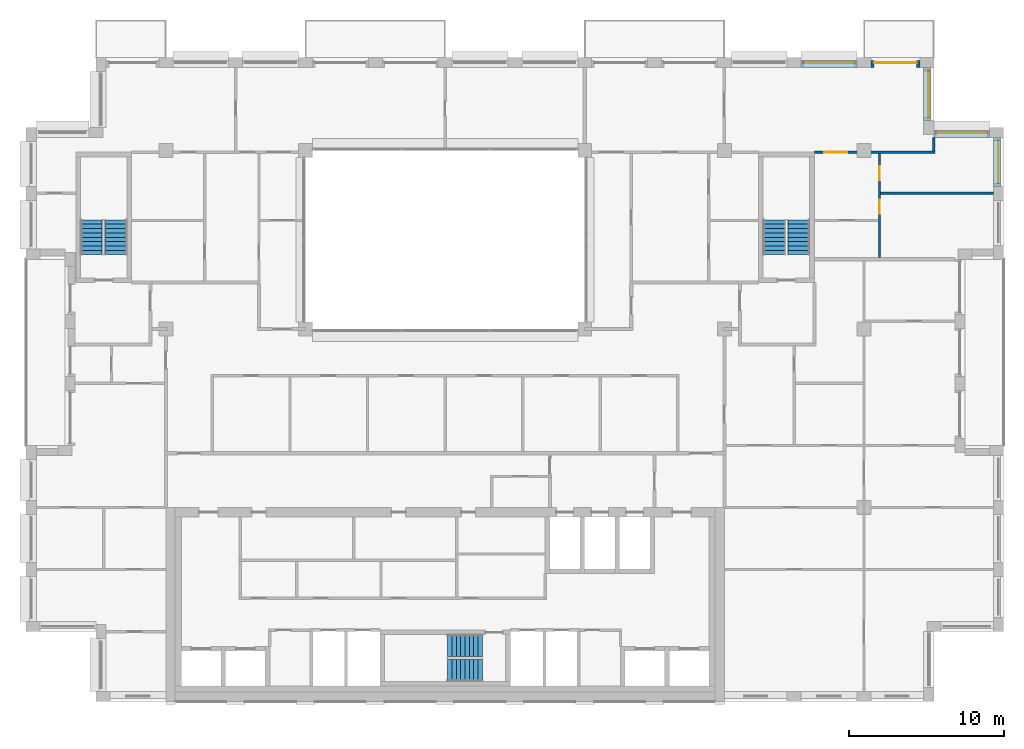
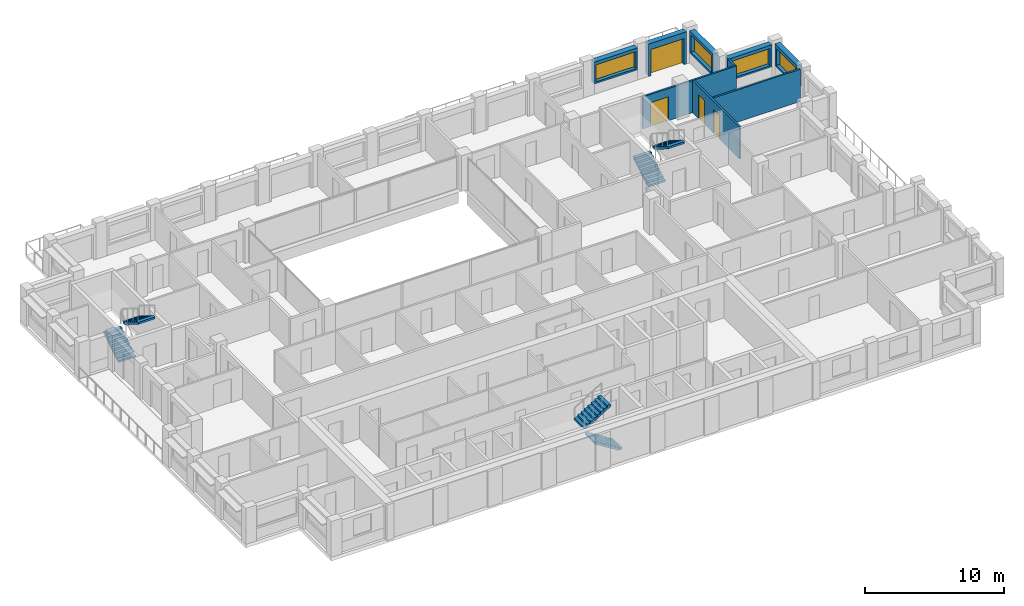
# One storey, part 14 of 15: 9 walls, 6 stair flights, 4 doors, 4 windows, 8 openings, 3 elements without a shape of their own.
"""IFC4 building model written with IfcOpenShell, lengths in metres."""

from ifc_helpers import new_model, si_unit, direction, frame, frame_2d, origin, place, context, subcontext, project, spatial, polyline, rectangle, outline, extrude, material, layer, layer_set, type_object, element, fill, aggregate, save


model = new_model("IFC4")

# Units and contexts
model_context = context("Model", 3, precision=1e-05, world=origin(), true_north=direction((0.0, 1.0)))
body_context = subcontext(model_context, "Body", "Model", "MODEL_VIEW")
ifc_project = project(units=[si_unit("LENGTHUNIT", "METRE"), si_unit("AREAUNIT", "SQUARE_METRE"), si_unit("VOLUMEUNIT", "CUBIC_METRE"), si_unit("PLANEANGLEUNIT", "RADIAN"), si_unit("MASSUNIT", "GRAM", prefix="KILO")], contexts=[model_context])

# Site, building, storey
site_placement = place(None, origin())
site = spatial("IfcSite", under=ifc_project, at=site_placement, CompositionType="ELEMENT")
building_placement = place(site_placement, origin())
building = spatial("IfcBuilding", under=site, at=building_placement, Name="Brigalow Station Residences", CompositionType="ELEMENT")
storey_placement = place(building_placement, frame((0.0, 0.0, 207.449951171875)))
storey = spatial("IfcBuildingStorey", under=building, at=storey_placement, Name="L59", CompositionType="ELEMENT", Elevation=207.449951171875)

# Wall, opening, window
ifc_material_1 = material(Name="Clay brick masonry", Category="masonry")
ifc_layer_1 = layer(ifc_material_1, 0.449951171875)
ifc_layer_set_1 = layer_set([ifc_layer_1], Name="BRICK INFILL WALL 450")
wall_type_1 = type_object("IfcWallType", Name="BRICK INFILL WALL 450", PredefinedType="SOLIDWALL", material=ifc_layer_set_1)
wall_1_placement = place(storey_placement, frame((71.574951171875, 33.199951171875, 0.900146484375), z_axis=(0.0, 0.0, 1.0), x_axis=(0.0, 1.0, 0.0)))
wall_1 = element("IfcWall", 1, at=wall_1_placement, inside=storey, type_object=wall_type_1, Name="L59/ewall/W-L59-17", PredefinedType="SOLIDWALL", context=body_context, shape_type="SweptSolid", body=[
    extrude(rectangle(XDim=3.150146484375, YDim=0.449951171875, at=frame_2d((1.5751953125, 0.0))), origin(), (0.0, 0.0, 1.0), 1.929931640625),
])
opening_1_placement = place(wall_1_placement, frame((0.199951171875, 0.0, 0.14990234375)))
opening_1 = element("IfcOpeningElement", 2, at=opening_1_placement, cuts=wall_1, Name="Opening WT-3", PredefinedType="OPENING", context=body_context, shape_type="SweptSolid", body=[
    extrude(rectangle(XDim=2.75, YDim=1.5, at=frame_2d((1.375, 0.75))), frame((0.0, 0.23486328125, 0.0), z_axis=(0.0, -1.0, 0.0), x_axis=(1.0, 0.0, 0.0)), (0.0, 0.0, 1.0), 0.469970703125),
])
ifc_material_2 = material(Name="Anodised aluminium frame with double glazing", Category="aluminium")
window_type_1 = type_object("IfcWindowType", Name="WINDOW 2750x1500", PartitioningType="SINGLE_PANEL", PredefinedType="WINDOW", material=ifc_material_2)
window_1_placement = place(opening_1_placement, origin())
window_1 = element("IfcWindow", 3, at=window_1_placement, inside=storey, type_object=window_type_1, Name="L59/window/W-L59-17", OverallHeight=1.5, OverallWidth=2.75, PartitioningType="SINGLE_PANEL", PredefinedType="WINDOW", context=body_context, shape_type="SweptSolid", body=[
    extrude(rectangle(XDim=2.75, YDim=1.5, at=frame_2d((1.375, 0.75))), frame((0.0, -0.06494140625, 0.0), z_axis=(0.0, -1.0, 0.0), x_axis=(1.0, 0.0, 0.0)), (0.0, 0.0, 1.0), 0.06005859375),
])
fill(opening_1, window_1)

wall_2_placement = place(storey_placement, frame((71.10009765625, 36.574951171875, 0.900146484375), z_axis=(0.0, 0.0, 1.0), x_axis=(-1.0, 0.0, 0.0)))
wall_2 = element("IfcWall", 4, at=wall_2_placement, inside=storey, type_object=wall_type_1, Name="L59/ewall/W-L59-18", PredefinedType="SOLIDWALL", context=body_context, shape_type="SweptSolid", body=[
    extrude(rectangle(XDim=3.60009765625, YDim=0.449951171875, at=frame_2d((1.800048828125, 0.0))), origin(), (0.0, 0.0, 1.0), 1.929931640625),
])
opening_2_placement = place(wall_2_placement, frame((0.14990234375, 0.0, 0.14990234375)))
opening_2 = element("IfcOpeningElement", 5, at=opening_2_placement, cuts=wall_2, Name="Opening WT-10", PredefinedType="OPENING", context=body_context, shape_type="SweptSolid", body=[
    extrude(rectangle(XDim=3.300048828125, YDim=1.5, at=frame_2d((1.64990234375, 0.75))), frame((0.0, 0.23486328125, 0.0), z_axis=(0.0, -1.0, 0.0), x_axis=(1.0, 0.0, 0.0)), (0.0, 0.0, 1.0), 0.469970703125),
])
ifc_material_3 = material(Name="Anodised aluminium frame with double glazing", Category="aluminium")
window_type_2 = type_object("IfcWindowType", Name="WINDOW 3300x1500", PartitioningType="SINGLE_PANEL", PredefinedType="WINDOW", material=ifc_material_3)
window_2_placement = place(opening_2_placement, origin())
window_2 = element("IfcWindow", 6, at=window_2_placement, inside=storey, type_object=window_type_2, Name="L59/window/W-L59-18", OverallHeight=1.5, OverallWidth=3.300048828125, PartitioningType="SINGLE_PANEL", PredefinedType="WINDOW", context=body_context, shape_type="SweptSolid", body=[
    extrude(rectangle(XDim=3.300048828125, YDim=1.5, at=frame_2d((1.64990234375, 0.75))), frame((0.0, -0.06494140625, 0.0), z_axis=(0.0, -1.0, 0.0), x_axis=(1.0, 0.0, 0.0)), (0.0, 0.0, 1.0), 0.06005859375),
])
fill(opening_2, window_2)

wall_3_placement = place(storey_placement, frame((67.074951171875, 37.449951171875, 0.900146484375), z_axis=(0.0, 0.0, 1.0), x_axis=(0.0, 1.0, 0.0)))
wall_3 = element("IfcWall", 7, at=wall_3_placement, inside=storey, type_object=wall_type_1, Name="L59/ewall/W-L59-19", PredefinedType="SOLIDWALL", context=body_context, shape_type="SweptSolid", body=[
    extrude(rectangle(XDim=3.400146484375, YDim=0.449951171875, at=frame_2d((1.7001953125, 0.0))), origin(), (0.0, 0.0, 1.0), 1.929931640625),
])
opening_3_placement = place(wall_3_placement, frame((0.199951171875, 0.0, 0.14990234375)))
opening_3 = element("IfcOpeningElement", 8, at=opening_3_placement, cuts=wall_3, Name="Opening WT-2", PredefinedType="OPENING", context=body_context, shape_type="SweptSolid", body=[
    extrude(rectangle(XDim=3.0, YDim=1.5, at=frame_2d((1.5, 0.75))), frame((0.0, 0.23486328125, 0.0), z_axis=(0.0, -1.0, 0.0), x_axis=(1.0, 0.0, 0.0)), (0.0, 0.0, 1.0), 0.469970703125),
])
ifc_material_4 = material(Name="Anodised aluminium frame with double glazing", Category="aluminium")
window_type_3 = type_object("IfcWindowType", Name="WINDOW 3000x1500", PartitioningType="SINGLE_PANEL", PredefinedType="WINDOW", material=ifc_material_4)
window_3_placement = place(opening_3_placement, origin())
window_3 = element("IfcWindow", 9, at=window_3_placement, inside=storey, type_object=window_type_3, Name="L59/window/W-L59-19", OverallHeight=1.5, OverallWidth=3.0, PartitioningType="SINGLE_PANEL", PredefinedType="WINDOW", context=body_context, shape_type="SweptSolid", body=[
    extrude(rectangle(XDim=3.0, YDim=1.5, at=frame_2d((1.5, 0.75))), frame((0.0, -0.06494140625, 0.0), z_axis=(0.0, -1.0, 0.0), x_axis=(1.0, 0.0, 0.0)), (0.0, 0.0, 1.0), 0.06005859375),
])
fill(opening_3, window_3)

# Wall, opening, door
wall_4_placement = place(storey_placement, frame((66.60009765625, 41.074951171875, 0.0), z_axis=(0.0, 0.0, 1.0), x_axis=(-1.0, 0.0, 0.0)))
wall_4 = element("IfcWall", 10, at=wall_4_placement, inside=storey, type_object=wall_type_1, Name="L59/ewall/W-L59-20", PredefinedType="SOLIDWALL", context=body_context, shape_type="SweptSolid", body=[
    extrude(rectangle(XDim=3.150146484375, YDim=0.449951171875, at=frame_2d((1.5751953125, 0.0))), origin(), (0.0, 0.0, 1.0), 2.830078125),
])
opening_4_placement = place(wall_4_placement, frame((0.199951171875, 0.0, 0.0)))
opening_4 = element("IfcOpeningElement", 11, at=opening_4_placement, cuts=wall_4, Name="Opening D-B2750", PredefinedType="OPENING", context=body_context, shape_type="SweptSolid", body=[
    extrude(rectangle(XDim=2.75, YDim=2.300048828125, at=frame_2d((1.375, 1.14990234375))), frame((0.0, 0.23486328125, 0.0), z_axis=(0.0, -1.0, 0.0), x_axis=(1.0, 0.0, 0.0)), (0.0, 0.0, 1.0), 0.469970703125),
])
ifc_material_5 = material(Name="Anodised aluminium frame with double glazing", Category="aluminium")
door_type_1 = type_object("IfcDoorType", Name="BALCONY SLIDING DOOR 2750x2300", OperationType="SLIDING_TO_LEFT", PredefinedType="DOOR", material=ifc_material_5)
door_1_placement = place(opening_4_placement, origin())
door_1 = element("IfcDoor", 12, at=door_1_placement, inside=storey, type_object=door_type_1, Name="L59/balcony-door/W-L59-20", OperationType="SLIDING_TO_LEFT", OverallHeight=2.300048828125, OverallWidth=2.75, PredefinedType="DOOR", context=body_context, shape_type="SweptSolid", body=[
    extrude(rectangle(XDim=2.75, YDim=2.300048828125, at=frame_2d((1.375, 1.14990234375))), frame((0.0, -0.06982421875, 0.0), z_axis=(0.0, -1.0, 0.0), x_axis=(1.0, 0.0, 0.0)), (0.0, 0.0, 1.0), 0.050048828125),
])
fill(opening_4, door_1)

# Wall, opening, window
wall_5_placement = place(storey_placement, frame((62.550048828125, 41.074951171875, 0.900146484375), z_axis=(0.0, 0.0, 1.0), x_axis=(-1.0, 0.0, 0.0)))
wall_5 = element("IfcWall", 13, at=wall_5_placement, inside=storey, type_object=wall_type_1, Name="L59/ewall/W-L59-21", PredefinedType="SOLIDWALL", context=body_context, shape_type="SweptSolid", body=[
    extrude(rectangle(XDim=3.60009765625, YDim=0.449951171875, at=frame_2d((1.800048828125, 0.0))), origin(), (0.0, 0.0, 1.0), 1.929931640625),
])
opening_5_placement = place(wall_5_placement, frame((0.14990234375, 0.0, 0.14990234375)))
opening_5 = element("IfcOpeningElement", 14, at=opening_5_placement, cuts=wall_5, Name="Opening WT-10", PredefinedType="OPENING", context=body_context, shape_type="SweptSolid", body=[
    extrude(rectangle(XDim=3.300048828125, YDim=1.5, at=frame_2d((1.64990234375, 0.75))), frame((0.0, 0.23486328125, 0.0), z_axis=(0.0, -1.0, 0.0), x_axis=(1.0, 0.0, 0.0)), (0.0, 0.0, 1.0), 0.469970703125),
])
window_4_placement = place(opening_5_placement, origin())
window_4 = element("IfcWindow", 15, at=window_4_placement, inside=storey, type_object=window_type_2, Name="L59/window/W-L59-21", OverallHeight=1.5, OverallWidth=3.300048828125, PartitioningType="SINGLE_PANEL", PredefinedType="WINDOW", context=body_context, shape_type="SweptSolid", body=[
    extrude(rectangle(XDim=3.300048828125, YDim=1.5, at=frame_2d((1.64990234375, 0.75))), frame((0.0, -0.06494140625, 0.0), z_axis=(0.0, -1.0, 0.0), x_axis=(1.0, 0.0, 0.0)), (0.0, 0.0, 1.0), 0.06005859375),
])
fill(opening_5, window_4)

# Wall, opening, door
ifc_material_6 = material(Name="Plasterboard on steel stud partition", Category="steel")
ifc_layer_2 = layer(ifc_material_6, 0.14990234375)
ifc_layer_set_2 = layer_set([ifc_layer_2], Name="FLAT PARTITION 150")
wall_type_2 = type_object("IfcWallType", Name="FLAT PARTITION 150", PredefinedType="PARTITIONING", material=ifc_layer_set_2)
wall_6_placement = place(storey_placement, frame((59.800048828125, 35.39990234375, 0.0), z_axis=(0.0, 0.0, 1.0), x_axis=(1.0, 0.0, 0.0)))
wall_6 = element("IfcWall", 16, at=wall_6_placement, inside=storey, type_object=wall_type_2, Name="PW-4B21", PredefinedType="PARTITIONING", context=body_context, shape_type="SweptSolid", body=[
    extrude(rectangle(XDim=7.77490234375, YDim=0.14990234375, at=frame_2d((3.887451171875, 0.0))), origin(), (0.0, 0.0, 1.0), 2.830078125),
])
opening_6_placement = place(wall_6_placement, frame((0.625, 0.0, 0.0)))
opening_6 = element("IfcOpeningElement", 17, at=opening_6_placement, cuts=wall_6, Name="Opening D-4B27", PredefinedType="OPENING", context=body_context, shape_type="SweptSolid", body=[
    extrude(rectangle(XDim=1.5, YDim=2.10009765625, at=frame_2d((0.75, 1.050048828125))), frame((0.0, 0.0849609375, 0.0), z_axis=(0.0, -1.0, 0.0), x_axis=(1.0, 0.0, 0.0)), (0.0, 0.0, 1.0), 0.169921875),
])
ifc_material_7 = material(Name="Solid-core timber door leaf", Category="wood")
door_type_2 = type_object("IfcDoorType", Name="INTERNAL DOUBLE DOOR 1500 x 2100", OperationType="DOUBLE_DOOR_SINGLE_SWING", PredefinedType="DOOR", material=ifc_material_7)
door_2_placement = place(opening_6_placement, origin())
door_2 = element("IfcDoor", 18, at=door_2_placement, inside=storey, type_object=door_type_2, Name="D-4B27", OperationType="DOUBLE_DOOR_SINGLE_SWING", OverallHeight=2.10009765625, OverallWidth=1.5, PredefinedType="DOOR", context=body_context, shape_type="SweptSolid", body=[
    extrude(rectangle(XDim=1.5, YDim=2.10009765625, at=frame_2d((0.75, 1.050048828125))), frame((0.0, 0.02490234375, 0.0), z_axis=(0.0, -1.0, 0.0), x_axis=(1.0, 0.0, 0.0)), (0.0, 0.0, 1.0), 0.050048828125),
])
fill(opening_6, door_2)

# Walls
wall_7_placement = place(storey_placement, frame((64.074951171875, 32.75, 0.0), z_axis=(0.0, 0.0, 1.0), x_axis=(1.0, 0.0, 0.0)))
element("IfcWall", 19, at=wall_7_placement, inside=storey, type_object=wall_type_2, Name="PW-4B23", PredefinedType="PARTITIONING", context=body_context, shape_type="SweptSolid", body=[
    extrude(rectangle(XDim=7.275146484375, YDim=0.14990234375, at=frame_2d((3.6376953125, 0.0))), origin(), (0.0, 0.0, 1.0), 2.830078125),
])
wall_8_placement = place(storey_placement, frame((67.5, 35.47509765625, 0.0), z_axis=(0.0, 0.0, 1.0), x_axis=(0.0, 1.0, 0.0)))
element("IfcWall", 20, at=wall_8_placement, inside=storey, type_object=wall_type_2, Name="PW-4B45", PredefinedType="PARTITIONING", context=body_context, shape_type="SweptSolid", body=[
    extrude(rectangle(XDim=0.875, YDim=0.14990234375, at=frame_2d((0.4375, 0.0))), origin(), (0.0, 0.0, 1.0), 2.830078125),
])

# Wall, openings, doors
wall_9_placement = place(storey_placement, frame((64.0, 28.60009765625, 0.0), z_axis=(0.0, 0.0, 1.0), x_axis=(0.0, 1.0, 0.0)))
wall_9 = element("IfcWall", 21, at=wall_9_placement, inside=storey, type_object=wall_type_2, Name="PW-4B46", PredefinedType="PARTITIONING", context=body_context, shape_type="SweptSolid", body=[
    extrude(rectangle(XDim=6.724853515625, YDim=0.14990234375, at=frame_2d((3.3623046875, 0.0))), origin(), (0.0, 0.0, 1.0), 2.830078125),
])
opening_7_placement = place(wall_9_placement, frame((2.824951171875, 0.0, 0.0)))
opening_7 = element("IfcOpeningElement", 22, at=opening_7_placement, cuts=wall_9, Name="Opening D-4B28", PredefinedType="OPENING", context=body_context, shape_type="SweptSolid", body=[
    extrude(rectangle(XDim=0.89990234375, YDim=2.10009765625, at=frame_2d((0.449951171875, 1.050048828125))), frame((0.0, 0.0849609375, 0.0), z_axis=(0.0, -1.0, 0.0), x_axis=(1.0, 0.0, 0.0)), (0.0, 0.0, 1.0), 0.169921875),
])
opening_8_placement = place(wall_9_placement, frame((5.0, 0.0, 0.0)))
opening_8 = element("IfcOpeningElement", 23, at=opening_8_placement, cuts=wall_9, Name="Opening D-4B29", PredefinedType="OPENING", context=body_context, shape_type="SweptSolid", body=[
    extrude(rectangle(XDim=0.89990234375, YDim=2.10009765625, at=frame_2d((0.449951171875, 1.050048828125))), frame((0.0, 0.0849609375, 0.0), z_axis=(0.0, -1.0, 0.0), x_axis=(1.0, 0.0, 0.0)), (0.0, 0.0, 1.0), 0.169921875),
])
ifc_material_8 = material(Name="Solid-core timber door leaf", Category="wood")
door_type_3 = type_object("IfcDoorType", Name="INTERNAL DOOR 900 x 2100", OperationType="SINGLE_SWING_LEFT", PredefinedType="DOOR", material=ifc_material_8)
door_3_placement = place(opening_7_placement, frame((0.89990234375, 0.0, 0.0), z_axis=(0.0, 0.0, 1.0), x_axis=(-1.0, 0.0, 0.0)))
door_3 = element("IfcDoor", 24, at=door_3_placement, inside=storey, type_object=door_type_3, Name="D-4B28", OperationType="SINGLE_SWING_LEFT", OverallHeight=2.10009765625, OverallWidth=0.89990234375, PredefinedType="DOOR", context=body_context, shape_type="SweptSolid", body=[
    extrude(rectangle(XDim=0.89990234375, YDim=2.10009765625, at=frame_2d((0.449951171875, 1.050048828125))), frame((0.0, 0.02490234375, 0.0), z_axis=(0.0, -1.0, 0.0), x_axis=(1.0, 0.0, 0.0)), (0.0, 0.0, 1.0), 0.050048828125),
])
fill(opening_7, door_3)
door_4_placement = place(opening_8_placement, frame((0.89990234375, 0.0, 0.0), z_axis=(0.0, 0.0, 1.0), x_axis=(-1.0, 0.0, 0.0)))
door_4 = element("IfcDoor", 25, at=door_4_placement, inside=storey, type_object=door_type_3, Name="D-4B29", OperationType="SINGLE_SWING_RIGHT", OverallHeight=2.10009765625, OverallWidth=0.89990234375, PredefinedType="DOOR", context=body_context, shape_type="SweptSolid", body=[
    extrude(rectangle(XDim=0.89990234375, YDim=2.10009765625, at=frame_2d((0.449951171875, 1.050048828125))), frame((0.0, 0.02490234375, 0.0), z_axis=(0.0, -1.0, 0.0), x_axis=(1.0, 0.0, 0.0)), (0.0, 0.0, 1.0), 0.050048828125),
])
fill(opening_8, door_4)

# Stair, stair flights
ifc_material_9 = material(Name="Concrete C50", Category="concrete")
stair_type = type_object("IfcStairType", Name="EXIT STAIR 1400 2 FLIGHT", PredefinedType="HALF_TURN_STAIR", material=ifc_material_9)
stair_1_placement = place(storey_placement, origin())
stair_1 = element("IfcStair", 26, at=stair_1_placement, inside=storey, type_object=stair_type, Name="EXIT STAIR S2 L59", PredefinedType="HALF_TURN_STAIR")
ifc_material_10 = material(Name="Concrete C50", Category="concrete")
stair_flight_type = type_object("IfcStairFlightType", Name="STAIR FLIGHT 1400", PredefinedType="STRAIGHT", material=ifc_material_10)
stair_flight_1_placement = place(storey_placement, frame((38.39990234375, 2.0, 0.0), z_axis=(0.0, 0.0, 1.0), x_axis=(-1.0, 0.0, 0.0)))
stair_flight_1 = element("IfcStairFlight", 27, at=stair_flight_1_placement, type_object=stair_flight_type, Name="ST-2 flight 1", NumberOfRisers=9, NumberOfTreads=8, PredefinedType="STRAIGHT", RiserHeight=0.175, TreadLength=0.28, context=body_context, shape_type="SweptSolid", body=[
    extrude(outline(polyline([(0.0, 0.0), (0.0, 0.175048828125), (0.280029296875, 0.175048828125), (0.280029296875, 0.35009765625), (0.56005859375, 0.35009765625), (0.56005859375, 0.52490234375), (0.840087890625, 0.52490234375), (0.840087890625, 0.699951171875), (1.1201171875, 0.699951171875), (1.1201171875, 0.875), (1.39990234375, 0.875), (1.39990234375, 1.050048828125), (1.679931640625, 1.050048828125), (1.679931640625, 1.22509765625), (1.9599609375, 1.22509765625), (1.9599609375, 1.39990234375), (2.239990234375, 1.39990234375), (2.239990234375, 1.574951171875), (2.239990234375, 1.22314453125), (0.28271484375, 0.0), (0.0, 0.0)])), frame((0.0, 0.699951171875, 0.0), z_axis=(0.0, -1.0, 0.0), x_axis=(1.0, 0.0, 0.0)), (0.0, 0.0, 1.0), 1.39990234375),
])
stair_flight_2_placement = place(storey_placement, frame((36.159912109375, 3.60009765625, 1.574951171875), z_axis=(0.0, 0.0, 1.0), x_axis=(1.0, 0.0, 0.0)))
stair_flight_2 = element("IfcStairFlight", 28, at=stair_flight_2_placement, type_object=stair_flight_type, Name="ST-2 flight 2", NumberOfRisers=9, NumberOfTreads=8, PredefinedType="STRAIGHT", RiserHeight=0.175, TreadLength=0.28, context=body_context, shape_type="SweptSolid", body=[
    extrude(outline(polyline([(0.0, 0.0), (0.0, 0.175048828125), (0.280029296875, 0.175048828125), (0.280029296875, 0.35009765625), (0.56005859375, 0.35009765625), (0.56005859375, 0.52490234375), (0.840087890625, 0.52490234375), (0.840087890625, 0.699951171875), (1.1201171875, 0.699951171875), (1.1201171875, 0.875), (1.39990234375, 0.875), (1.39990234375, 1.050048828125), (1.679931640625, 1.050048828125), (1.679931640625, 1.22509765625), (1.9599609375, 1.22509765625), (1.9599609375, 1.39990234375), (2.239990234375, 1.39990234375), (2.239990234375, 1.574951171875), (2.239990234375, 1.22314453125), (0.28271484375, 0.0), (0.0, 0.0)])), frame((0.0, 0.699951171875, 0.0), z_axis=(0.0, -1.0, 0.0), x_axis=(1.0, 0.0, 0.0)), (0.0, 0.0, 1.0), 1.39990234375),
])
aggregate(stair_1, [stair_flight_1, stair_flight_2])

stair_2_placement = place(storey_placement, origin())
stair_2 = element("IfcStair", 29, at=stair_2_placement, inside=storey, type_object=stair_type, Name="EXIT STAIR S1 L59", PredefinedType="HALF_TURN_STAIR")
stair_flight_3_placement = place(storey_placement, frame((13.199951171875, 28.800048828125, 0.0), z_axis=(0.0, 0.0, 1.0), x_axis=(0.0, 1.0, 0.0)))
stair_flight_3 = element("IfcStairFlight", 30, at=stair_flight_3_placement, type_object=stair_flight_type, Name="ST-1 flight 1", NumberOfRisers=9, NumberOfTreads=8, PredefinedType="STRAIGHT", RiserHeight=0.175, TreadLength=0.28, context=body_context, shape_type="SweptSolid", body=[
    extrude(outline(polyline([(0.0, 0.0), (0.0, 0.175048828125), (0.280029296875, 0.175048828125), (0.280029296875, 0.35009765625), (0.56005859375, 0.35009765625), (0.56005859375, 0.52490234375), (0.840087890625, 0.52490234375), (0.840087890625, 0.699951171875), (1.1201171875, 0.699951171875), (1.1201171875, 0.875), (1.39990234375, 0.875), (1.39990234375, 1.050048828125), (1.679931640625, 1.050048828125), (1.679931640625, 1.22509765625), (1.9599609375, 1.22509765625), (1.9599609375, 1.39990234375), (2.239990234375, 1.39990234375), (2.239990234375, 1.574951171875), (2.239990234375, 1.22314453125), (0.28271484375, 0.0), (0.0, 0.0)])), frame((0.0, 0.699951171875, 0.0), z_axis=(0.0, -1.0, 0.0), x_axis=(1.0, 0.0, 0.0)), (0.0, 0.0, 1.0), 1.39990234375),
])
stair_flight_4_placement = place(storey_placement, frame((14.800048828125, 31.0400390625, 1.574951171875), z_axis=(0.0, 0.0, 1.0), x_axis=(0.0, -1.0, 0.0)))
stair_flight_4 = element("IfcStairFlight", 31, at=stair_flight_4_placement, type_object=stair_flight_type, Name="ST-1 flight 2", NumberOfRisers=9, NumberOfTreads=8, PredefinedType="STRAIGHT", RiserHeight=0.175, TreadLength=0.28, context=body_context, shape_type="SweptSolid", body=[
    extrude(outline(polyline([(0.0, 0.0), (0.0, 0.175048828125), (0.280029296875, 0.175048828125), (0.280029296875, 0.35009765625), (0.56005859375, 0.35009765625), (0.56005859375, 0.52490234375), (0.840087890625, 0.52490234375), (0.840087890625, 0.699951171875), (1.1201171875, 0.699951171875), (1.1201171875, 0.875), (1.39990234375, 0.875), (1.39990234375, 1.050048828125), (1.679931640625, 1.050048828125), (1.679931640625, 1.22509765625), (1.9599609375, 1.22509765625), (1.9599609375, 1.39990234375), (2.239990234375, 1.39990234375), (2.239990234375, 1.574951171875), (2.239990234375, 1.22314453125), (0.28271484375, 0.0), (0.0, 0.0)])), frame((0.0, 0.699951171875, 0.0), z_axis=(0.0, -1.0, 0.0), x_axis=(1.0, 0.0, 0.0)), (0.0, 0.0, 1.0), 1.39990234375),
])
aggregate(stair_2, [stair_flight_3, stair_flight_4])

stair_3_placement = place(storey_placement, origin())
stair_3 = element("IfcStair", 32, at=stair_3_placement, inside=storey, type_object=stair_type, Name="EXIT STAIR S3 L59", PredefinedType="HALF_TURN_STAIR")
stair_flight_5_placement = place(storey_placement, frame((57.199951171875, 28.800048828125, 0.0), z_axis=(0.0, 0.0, 1.0), x_axis=(0.0, 1.0, 0.0)))
stair_flight_5 = element("IfcStairFlight", 33, at=stair_flight_5_placement, type_object=stair_flight_type, Name="ST-3 flight 1", NumberOfRisers=9, NumberOfTreads=8, PredefinedType="STRAIGHT", RiserHeight=0.175, TreadLength=0.28, context=body_context, shape_type="SweptSolid", body=[
    extrude(outline(polyline([(0.0, 0.0), (0.0, 0.175048828125), (0.280029296875, 0.175048828125), (0.280029296875, 0.35009765625), (0.56005859375, 0.35009765625), (0.56005859375, 0.52490234375), (0.840087890625, 0.52490234375), (0.840087890625, 0.699951171875), (1.1201171875, 0.699951171875), (1.1201171875, 0.875), (1.39990234375, 0.875), (1.39990234375, 1.050048828125), (1.679931640625, 1.050048828125), (1.679931640625, 1.22509765625), (1.9599609375, 1.22509765625), (1.9599609375, 1.39990234375), (2.239990234375, 1.39990234375), (2.239990234375, 1.574951171875), (2.239990234375, 1.22314453125), (0.28271484375, 0.0), (0.0, 0.0)])), frame((0.0, 0.699951171875, 0.0), z_axis=(0.0, -1.0, 0.0), x_axis=(1.0, 0.0, 0.0)), (0.0, 0.0, 1.0), 1.39990234375),
])
stair_flight_6_placement = place(storey_placement, frame((58.800048828125, 31.0400390625, 1.574951171875), z_axis=(0.0, 0.0, 1.0), x_axis=(0.0, -1.0, 0.0)))
stair_flight_6 = element("IfcStairFlight", 34, at=stair_flight_6_placement, type_object=stair_flight_type, Name="ST-3 flight 2", NumberOfRisers=9, NumberOfTreads=8, PredefinedType="STRAIGHT", RiserHeight=0.175, TreadLength=0.28, context=body_context, shape_type="SweptSolid", body=[
    extrude(outline(polyline([(0.0, 0.0), (0.0, 0.175048828125), (0.280029296875, 0.175048828125), (0.280029296875, 0.35009765625), (0.56005859375, 0.35009765625), (0.56005859375, 0.52490234375), (0.840087890625, 0.52490234375), (0.840087890625, 0.699951171875), (1.1201171875, 0.699951171875), (1.1201171875, 0.875), (1.39990234375, 0.875), (1.39990234375, 1.050048828125), (1.679931640625, 1.050048828125), (1.679931640625, 1.22509765625), (1.9599609375, 1.22509765625), (1.9599609375, 1.39990234375), (2.239990234375, 1.39990234375), (2.239990234375, 1.574951171875), (2.239990234375, 1.22314453125), (0.28271484375, 0.0), (0.0, 0.0)])), frame((0.0, 0.699951171875, 0.0), z_axis=(0.0, -1.0, 0.0), x_axis=(1.0, 0.0, 0.0)), (0.0, 0.0, 1.0), 1.39990234375),
])
aggregate(stair_3, [stair_flight_5, stair_flight_6])

save(model, "model.ifc")
